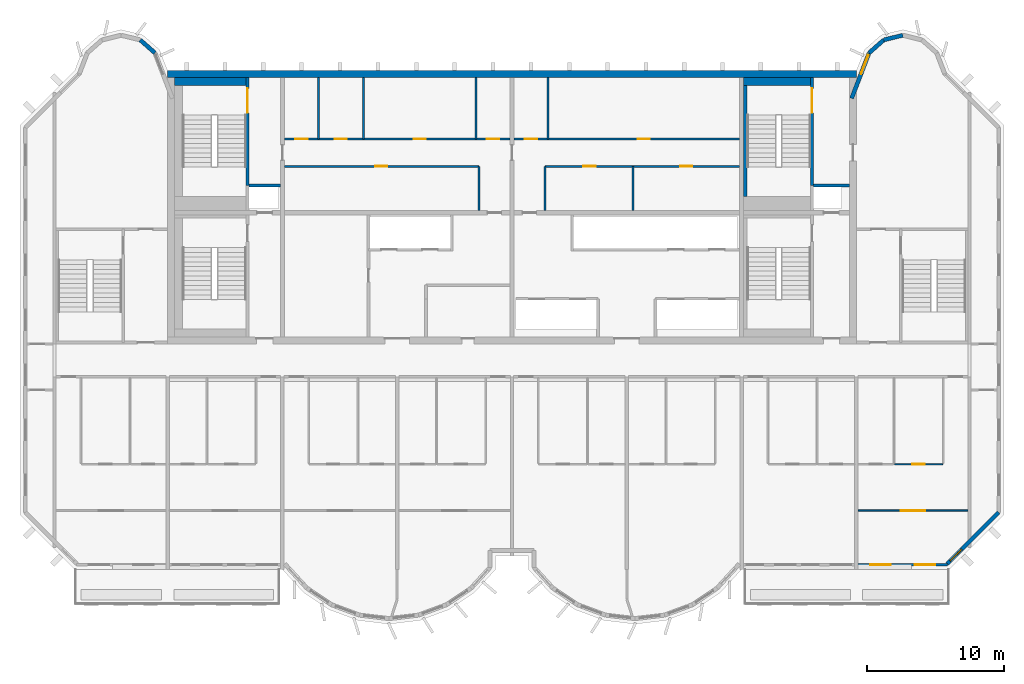
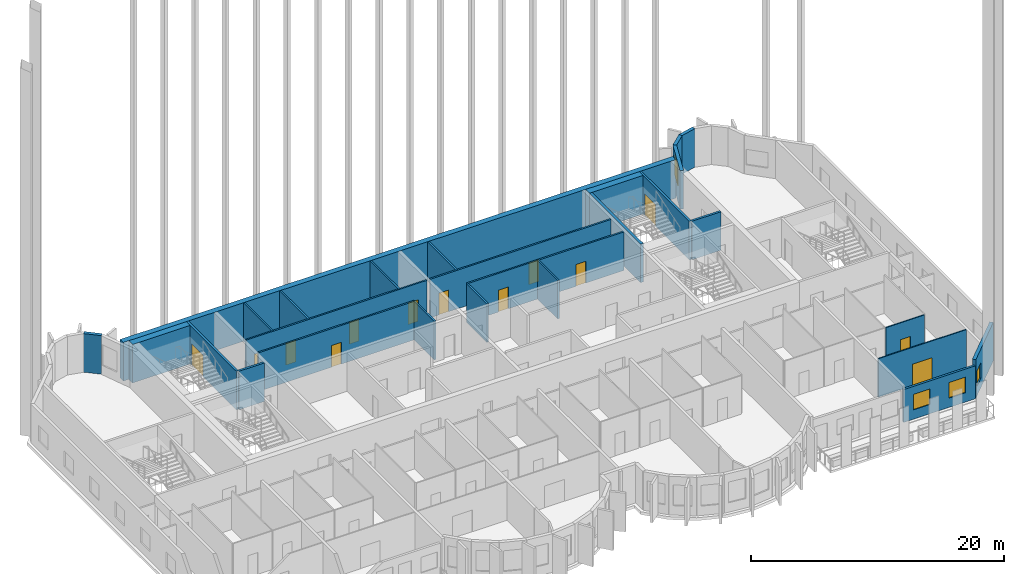
# One storey, part 7 of 13: 27 walls, 13 doors, 4 windows, 17 openings.
"""IFC4 building model written with IfcOpenShell, lengths in metres."""

from ifc_helpers import new_model, si_unit, direction, frame, frame_2d, origin, place, context, subcontext, project, spatial, rectangle, extrude, source, transform, mapped, material, layer, layer_set, type_object, element, fill, save


model = new_model("IFC4")

# Units and contexts
model_context = context("Model", 3, precision=1e-05, world=origin(), true_north=direction((0.0, 1.0)))
body_context = subcontext(model_context, "Body", "Model", "MODEL_VIEW")
ifc_project = project(units=[si_unit("LENGTHUNIT", "METRE"), si_unit("AREAUNIT", "SQUARE_METRE"), si_unit("VOLUMEUNIT", "CUBIC_METRE"), si_unit("PLANEANGLEUNIT", "RADIAN"), si_unit("MASSUNIT", "GRAM", prefix="KILO")], contexts=[model_context])

# Site, building, storey
site_placement = place(None, origin())
site = spatial("IfcSite", under=ifc_project, at=site_placement, CompositionType="ELEMENT")
building_placement = place(site_placement, origin())
building = spatial("IfcBuilding", under=site, at=building_placement, Name="Vanashikhar Sky Hotel", CompositionType="ELEMENT")
storey_placement = place(building_placement, frame((0.0, 0.0, 277.699951171875)))
storey = spatial("IfcBuildingStorey", under=building, at=storey_placement, Name="L66", CompositionType="ELEMENT", Elevation=277.699951171875)

# Wall
ifc_material_1 = material(Name="Concrete M50", Category="concrete")
ifc_layer_1 = layer(ifc_material_1, 0.5)
ifc_layer_set_1 = layer_set([ifc_layer_1], Name="RC core shell wall 500 Concrete M50")
wall_type_1 = type_object("IfcWallType", Name="RC core shell wall 500 Concrete M50", PredefinedType="SHEAR", material=ifc_layer_set_1)
shared_shape_1 = source(origin(), body_context, "Body", "SweptSolid", [
    extrude(rectangle(XDim=50.400146484375, YDim=0.5, at=frame_2d((25.2001953125, 0.0))), origin(), (0.0, 0.0, 1.0), 3.719970703125),
])
wall_1_placement = place(storey_placement, frame((25.199951171875, 41.75, 0.0), z_axis=(0.0, 0.0, 1.0), x_axis=(1.0, 0.0, 0.0)))
element("IfcWall", 1, at=wall_1_placement, inside=storey, type_object=wall_type_1, Name="KW-L66-KN", PredefinedType="SHEAR", context=body_context, shape_type="MappedRepresentation", body=[
    mapped(shared_shape_1, transform((0.0, 0.0, 0.0), scale=1.0)),
])

# Wall, openings, windows
ifc_layer_2 = layer(ifc_material_1, 0.199951171875)
ifc_layer_set_2 = layer_set([ifc_layer_2], Name="Front window wall 200")
wall_type_2 = type_object("IfcWallType", Name="Front window wall 200", PredefinedType="SOLIDWALL", material=ifc_layer_set_2)
shared_shape_2 = source(origin(), body_context, "Body", "SweptSolid", [
    extrude(rectangle(XDim=6.52978515625, YDim=0.199951171875, at=frame_2d((3.264892578125, 0.0))), origin(), (0.0, 0.0, 1.0), 3.170166015625),
])
wall_2_placement = place(storey_placement, frame((75.72509765625, 5.85009765625, 0.0), z_axis=(0.0, 0.0, 1.0), x_axis=(1.0, 0.0, 0.0)))
wall_2 = element("IfcWall", 2, at=wall_2_placement, inside=storey, type_object=wall_type_2, Name="Front window wall", PredefinedType="SOLIDWALL", context=body_context, shape_type="MappedRepresentation", body=[
    mapped(shared_shape_2, transform((0.0, 0.0, 0.0), scale=1.0)),
])
shared_shape_3 = source(origin(), body_context, "Body", "SweptSolid", [
    extrude(rectangle(XDim=1.5, YDim=1.5, at=frame_2d((0.75, 0.75))), frame((0.0, 0.10986328125, 0.0), z_axis=(0.0, -1.0, 0.0), x_axis=(1.0, 0.0, 0.0)), (0.0, 0.0, 1.0), 0.219970703125),
])
opening_1_placement = place(wall_2_placement, frame((0.882568359375, 0.0, 0.89990234375)))
opening_1 = element("IfcOpeningElement", 3, at=opening_1_placement, cuts=wall_2, Name="Opening WN-1", PredefinedType="OPENING", context=body_context, shape_type="MappedRepresentation", body=[
    mapped(shared_shape_3, transform((0.0, 0.0, 0.0), scale=1.0)),
])
opening_2_placement = place(wall_2_placement, frame((4.1474609375, 0.0, 0.89990234375)))
opening_2 = element("IfcOpeningElement", 4, at=opening_2_placement, cuts=wall_2, Name="Opening WN-1", PredefinedType="OPENING", context=body_context, shape_type="MappedRepresentation", body=[
    mapped(shared_shape_3, transform((0.0, 0.0, 0.0), scale=1.0)),
])
ifc_material_2 = material(Name="Glass", Category="glass")
window_type_1 = type_object("IfcWindowType", Name="Window 1500 x 1500", PartitioningType="SINGLE_PANEL", PredefinedType="WINDOW", material=ifc_material_2)
shared_shape_4 = source(origin(), body_context, "Body", "SweptSolid", [
    extrude(rectangle(XDim=1.5, YDim=1.5, at=frame_2d((0.75, 0.75))), frame((0.0, 0.030029296875, 0.0), z_axis=(0.0, -1.0, 0.0), x_axis=(1.0, 0.0, 0.0)), (0.0, 0.0, 1.0), 0.06005859375),
])
window_1_placement = place(opening_1_placement, origin())
window_1 = element("IfcWindow", 5, at=window_1_placement, inside=storey, type_object=window_type_1, Name="Window WN-1", OverallHeight=1.5, OverallWidth=1.5, PartitioningType="SINGLE_PANEL", PredefinedType="WINDOW", context=body_context, shape_type="MappedRepresentation", body=[
    mapped(shared_shape_4, transform((0.0, 0.0, 0.0), scale=1.0)),
])
fill(opening_1, window_1)
window_2_placement = place(opening_2_placement, origin())
window_2 = element("IfcWindow", 6, at=window_2_placement, inside=storey, type_object=window_type_1, Name="Window WN-1", OverallHeight=1.5, OverallWidth=1.5, PartitioningType="SINGLE_PANEL", PredefinedType="WINDOW", context=body_context, shape_type="MappedRepresentation", body=[
    mapped(shared_shape_4, transform((0.0, 0.0, 0.0), scale=1.0)),
])
fill(opening_2, window_2)

# Wall, opening, window
ifc_layer_3 = layer(ifc_material_1, 0.300048828125)
ifc_layer_set_3 = layer_set([ifc_layer_3], Name="Lobe wall 300")
wall_type_3 = type_object("IfcWallType", Name="Lobe wall 300", PredefinedType="SOLIDWALL", material=ifc_layer_set_3)
shared_shape_5 = source(origin(), body_context, "Body", "SweptSolid", [
    extrude(rectangle(XDim=5.32568359375, YDim=0.300048828125, at=frame_2d((2.662841796875, 0.0))), origin(), (0.0, 0.0, 1.0), 3.719970703125),
])
wall_3_placement = place(storey_placement, frame((82.234375, 5.89990234375, 0.0), z_axis=(0.0, 0.0, 1.0), x_axis=(0.707083859269, 0.707129702361, 0.0)))
wall_3 = element("IfcWall", 7, at=wall_3_placement, inside=storey, type_object=wall_type_3, Name="Corner wall", PredefinedType="SOLIDWALL", context=body_context, shape_type="MappedRepresentation", body=[
    mapped(shared_shape_5, transform((0.0, 0.0, 0.0), scale=1.0)),
])
shared_shape_6 = source(origin(), body_context, "Body", "SweptSolid", [
    extrude(rectangle(XDim=1.199951171875, YDim=1.5, at=frame_2d((0.60009765625, 0.75))), frame((0.0, 0.16015625, 0.0), z_axis=(0.0, -1.0, 0.0), x_axis=(1.0, 0.0, 0.0)), (0.0, 0.0, 1.0), 0.320068359375),
])
opening_3_placement = place(wall_3_placement, frame((0.31005859375, 0.0, 0.89990234375)))
opening_3 = element("IfcOpeningElement", 8, at=opening_3_placement, cuts=wall_3, Name="Opening WN-3", PredefinedType="OPENING", context=body_context, shape_type="MappedRepresentation", body=[
    mapped(shared_shape_6, transform((0.0, 0.0, 0.0), scale=1.0)),
])
window_type_2 = type_object("IfcWindowType", Name="Corridor end window 1200 x 1500", PartitioningType="SINGLE_PANEL", PredefinedType="WINDOW", material=ifc_material_2)
shared_shape_7 = source(origin(), body_context, "Body", "SweptSolid", [
    extrude(rectangle(XDim=1.199951171875, YDim=1.5, at=frame_2d((0.60009765625, 0.75))), frame((0.0, 0.030029296875, 0.0), z_axis=(0.0, -1.0, 0.0), x_axis=(1.0, 0.0, 0.0)), (0.0, 0.0, 1.0), 0.06005859375),
])
window_3_placement = place(opening_3_placement, origin())
window_3 = element("IfcWindow", 9, at=window_3_placement, inside=storey, type_object=window_type_2, Name="Window WN-3", OverallHeight=1.5, OverallWidth=1.199951171875, PartitioningType="SINGLE_PANEL", PredefinedType="WINDOW", context=body_context, shape_type="MappedRepresentation", body=[
    mapped(shared_shape_7, transform((0.0, 0.0, 0.0), scale=1.0)),
])
fill(opening_3, window_3)

# Walls
shared_shape_8 = source(origin(), body_context, "Body", "SweptSolid", [
    extrude(rectangle(XDim=1.43994140625, YDim=0.300048828125, at=frame_2d((0.719970703125, 0.0))), origin(), (0.0, 0.0, 1.0), 3.719970703125),
])
wall_4_placement = place(storey_placement, frame((77.602783203125, 44.2451171875, 0.0), z_axis=(0.0, 0.0, 1.0), x_axis=(-0.74957555648, -0.661918790432, 0.0)))
element("IfcWall", 10, at=wall_4_placement, inside=storey, type_object=wall_type_3, Name="Lobe wall", PredefinedType="SOLIDWALL", context=body_context, shape_type="MappedRepresentation", body=[
    mapped(shared_shape_8, transform((0.0, 0.0, 0.0), scale=1.0)),
])
shared_shape_9 = source(origin(), body_context, "Body", "SweptSolid", [
    extrude(rectangle(XDim=1.438720703125, YDim=0.300048828125, at=frame_2d((0.71923828125, 0.0))), origin(), (0.0, 0.0, 1.0), 3.719970703125),
])
wall_5_placement = place(storey_placement, frame((79.0, 44.588134765625, 0.0), z_axis=(0.0, 0.0, 1.0), x_axis=(-0.971161932466, -0.238420848351, 0.0)))
element("IfcWall", 11, at=wall_5_placement, inside=storey, type_object=wall_type_3, Name="Lobe wall", PredefinedType="SOLIDWALL", context=body_context, shape_type="MappedRepresentation", body=[
    mapped(shared_shape_9, transform((0.0, 0.0, 0.0), scale=1.0)),
])

# Wall, opening, window
shared_shape_10 = source(origin(), body_context, "Body", "SweptSolid", [
    extrude(rectangle(XDim=3.55908203125, YDim=0.300048828125, at=frame_2d((1.779541015625, 0.0))), origin(), (0.0, 0.0, 1.0), 3.719970703125),
])
wall_6_placement = place(storey_placement, frame((76.5234375, 43.2919921875, 0.0), z_axis=(0.0, 0.0, 1.0), x_axis=(-0.35779745313, -0.933799219604, 0.0)))
wall_6 = element("IfcWall", 12, at=wall_6_placement, inside=storey, type_object=wall_type_3, Name="Lobe wall", PredefinedType="SOLIDWALL", context=body_context, shape_type="MappedRepresentation", body=[
    mapped(shared_shape_10, transform((0.0, 0.0, 0.0), scale=1.0)),
])
shared_shape_11 = source(origin(), body_context, "Body", "SweptSolid", [
    extrude(rectangle(XDim=1.5, YDim=2.0, at=frame_2d((0.75, 1.0))), frame((0.0, 0.16015625, 0.0), z_axis=(0.0, -1.0, 0.0), x_axis=(1.0, 0.0, 0.0)), (0.0, 0.0, 1.0), 0.320068359375),
])
opening_4_placement = place(wall_6_placement, frame((0.156005859375, 0.0, 0.89990234375)))
opening_4 = element("IfcOpeningElement", 13, at=opening_4_placement, cuts=wall_6, Name="Opening WN-2", PredefinedType="OPENING", context=body_context, shape_type="MappedRepresentation", body=[
    mapped(shared_shape_11, transform((0.0, 0.0, 0.0), scale=1.0)),
])
window_type_3 = type_object("IfcWindowType", Name="Lobe window 1500 x 2000", PartitioningType="SINGLE_PANEL", PredefinedType="WINDOW", material=ifc_material_2)
shared_shape_12 = source(origin(), body_context, "Body", "SweptSolid", [
    extrude(rectangle(XDim=1.5, YDim=2.0, at=frame_2d((0.75, 1.0))), frame((0.0, 0.030029296875, 0.0), z_axis=(0.0, -1.0, 0.0), x_axis=(1.0, 0.0, 0.0)), (0.0, 0.0, 1.0), 0.06005859375),
])
window_4_placement = place(opening_4_placement, origin())
window_4 = element("IfcWindow", 14, at=window_4_placement, inside=storey, type_object=window_type_3, Name="Window WN-2", OverallHeight=2.0, OverallWidth=1.5, PartitioningType="SINGLE_PANEL", PredefinedType="WINDOW", context=body_context, shape_type="MappedRepresentation", body=[
    mapped(shared_shape_12, transform((0.0, 0.0, 0.0), scale=1.0)),
])
fill(opening_4, window_4)

# Walls
shared_shape_13 = source(origin(), body_context, "Body", "SweptSolid", [
    extrude(rectangle(XDim=1.440185546875, YDim=0.300048828125, at=frame_2d((0.72021484375, 0.0))), origin(), (0.0, 0.0, 1.0), 3.719970703125),
])
wall_7_placement = place(storey_placement, frame((24.276611328125, 43.2919921875, 0.0), z_axis=(0.0, 0.0, 1.0), x_axis=(-0.749649827867, 0.661834673902, 0.0)))
element("IfcWall", 15, at=wall_7_placement, inside=storey, type_object=wall_type_3, Name="Lobe wall", PredefinedType="SOLIDWALL", context=body_context, shape_type="MappedRepresentation", body=[
    mapped(shared_shape_13, transform((0.0, 0.0, 0.0), scale=1.0)),
])
ifc_material_3 = material(Name="Gypsum board partition")
ifc_layer_4 = layer(ifc_material_3, 0.14990234375)
ifc_layer_set_4 = layer_set([ifc_layer_4], Name="Service partition 150")
wall_type_4 = type_object("IfcWallType", Name="Service partition 150", PredefinedType="PARTITIONING", material=ifc_layer_set_4)
shared_shape_14 = source(origin(), body_context, "Body", "SweptSolid", [
    extrude(rectangle(XDim=3.25, YDim=0.14990234375, at=frame_2d((1.625, 0.0))), origin(), (0.0, 0.0, 1.0), 3.719970703125),
])
for number, where, z_axis, x_axis, name in (
    (16, (48.0, 31.75, 0.0), (0.0, 0.0, 1.0), (0.0, 1.0, 0.0), "Service partition 150"),
    (17, (52.800048828125, 31.75, 0.0), (0.0, 0.0, 1.0), (0.0, 1.0, 0.0), "Service partition 150"),
    (18, (59.25390625, 31.75, 0.0), (0.0, 0.0, 1.0), (0.0, 1.0, 0.0), "Service partition 150"),
):
    element("IfcWall", number, at=place(storey_placement, frame(where, z_axis=z_axis, x_axis=x_axis)), inside=storey, type_object=wall_type_4, Name=name, PredefinedType="PARTITIONING", context=body_context, shape_type="MappedRepresentation", body=[
        mapped(shared_shape_14, transform((0.0, 0.0, 0.0), scale=1.0)),
    ])

# Wall, opening, door
shared_shape_15 = source(origin(), body_context, "Body", "SweptSolid", [
    extrude(rectangle(XDim=14.25, YDim=0.14990234375, at=frame_2d((7.125, 0.0))), origin(), (0.0, 0.0, 1.0), 3.719970703125),
])
wall_8_placement = place(storey_placement, frame((33.75, 35.0, 0.0), z_axis=(0.0, 0.0, 1.0), x_axis=(1.0, 0.0, 0.0)))
wall_8 = element("IfcWall", 19, at=wall_8_placement, inside=storey, type_object=wall_type_4, Name="Service partition 150", PredefinedType="PARTITIONING", context=body_context, shape_type="MappedRepresentation", body=[
    mapped(shared_shape_15, transform((0.0, 0.0, 0.0), scale=1.0)),
])
shared_shape_16 = source(origin(), body_context, "Body", "SweptSolid", [
    extrude(rectangle(XDim=0.89990234375, YDim=2.10009765625, at=frame_2d((0.449951171875, 1.050048828125))), frame((0.0, 0.0849609375, 0.0), z_axis=(0.0, -1.0, 0.0), x_axis=(1.0, 0.0, 0.0)), (0.0, 0.0, 1.0), 0.169921875),
])
opening_5_placement = place(wall_8_placement, frame((6.636962890625, 0.0, 0.0)))
opening_5 = element("IfcOpeningElement", 20, at=opening_5_placement, cuts=wall_8, Name="Opening DC-4-A", PredefinedType="OPENING", context=body_context, shape_type="MappedRepresentation", body=[
    mapped(shared_shape_16, transform((0.0, 0.0, 0.0), scale=1.0)),
])
ifc_material_4 = material(Name="Steel", Category="steel")
door_type_1 = type_object("IfcDoorType", Name="Service door 900 FD60", OperationType="NOTDEFINED", PredefinedType="DOOR", material=ifc_material_4)
shared_shape_17 = source(origin(), body_context, "Body", "SweptSolid", [
    extrude(rectangle(XDim=0.89990234375, YDim=2.10009765625, at=frame_2d((0.449951171875, 1.050048828125))), frame((0.0, 0.02490234375, 0.0), z_axis=(0.0, -1.0, 0.0), x_axis=(1.0, 0.0, 0.0)), (0.0, 0.0, 1.0), 0.050048828125),
])
door_1_placement = place(opening_5_placement, origin())
door_1 = element("IfcDoor", 21, at=door_1_placement, inside=storey, type_object=door_type_1, Name="Service door 900 FD60", OperationType="SINGLE_SWING_LEFT", OverallHeight=2.10009765625, OverallWidth=0.89990234375, PredefinedType="DOOR", context=body_context, shape_type="MappedRepresentation", body=[
    mapped(shared_shape_17, transform((0.0, 0.0, 0.0), scale=1.0)),
])
fill(opening_5, door_1)

# Wall, openings, doors
wall_9_placement = place(storey_placement, frame((67.050048828125, 35.0, 0.0), z_axis=(0.0, 0.0, 1.0), x_axis=(-1.0, 0.0, 0.0)))
wall_9 = element("IfcWall", 22, at=wall_9_placement, inside=storey, type_object=wall_type_4, Name="Service partition 150", PredefinedType="PARTITIONING", context=body_context, shape_type="MappedRepresentation", body=[
    mapped(shared_shape_15, transform((0.0, 0.0, 0.0), scale=1.0)),
])
opening_6_placement = place(wall_9_placement, frame((3.447998046875, 0.0, 0.0)))
opening_6 = element("IfcOpeningElement", 23, at=opening_6_placement, cuts=wall_9, Name="Opening DC-4-A", PredefinedType="OPENING", context=body_context, shape_type="MappedRepresentation", body=[
    mapped(shared_shape_16, transform((0.0, 0.0, 0.0), scale=1.0)),
])
opening_7_placement = place(wall_9_placement, frame((10.535888671875, 0.0, 0.0)))
opening_7 = element("IfcOpeningElement", 24, at=opening_7_placement, cuts=wall_9, Name="Opening DC-4-A", PredefinedType="OPENING", context=body_context, shape_type="MappedRepresentation", body=[
    mapped(shared_shape_16, transform((0.0, 0.0, 0.0), scale=1.0)),
])
door_2_placement = place(opening_6_placement, origin())
door_2 = element("IfcDoor", 25, at=door_2_placement, inside=storey, type_object=door_type_1, Name="Service door 900 FD60", OperationType="SINGLE_SWING_RIGHT", OverallHeight=2.10009765625, OverallWidth=0.89990234375, PredefinedType="DOOR", context=body_context, shape_type="MappedRepresentation", body=[
    mapped(shared_shape_17, transform((0.0, 0.0, 0.0), scale=1.0)),
])
fill(opening_6, door_2)
door_3_placement = place(opening_7_placement, origin())
door_3 = element("IfcDoor", 26, at=door_3_placement, inside=storey, type_object=door_type_1, Name="Service door 900 FD60", OperationType="SINGLE_SWING_RIGHT", OverallHeight=2.10009765625, OverallWidth=0.89990234375, PredefinedType="DOOR", context=body_context, shape_type="MappedRepresentation", body=[
    mapped(shared_shape_17, transform((0.0, 0.0, 0.0), scale=1.0)),
])
fill(opening_7, door_3)

shared_shape_18 = source(origin(), body_context, "Body", "SweptSolid", [
    extrude(rectangle(XDim=16.5, YDim=0.14990234375, at=frame_2d((8.25, 0.0))), origin(), (0.0, 0.0, 1.0), 3.719970703125),
])
wall_10_placement = place(storey_placement, frame((33.75, 37.0, 0.0), z_axis=(0.0, 0.0, 1.0), x_axis=(1.0, 0.0, 0.0)))
wall_10 = element("IfcWall", 27, at=wall_10_placement, inside=storey, type_object=wall_type_4, Name="Service partition 150", PredefinedType="PARTITIONING", context=body_context, shape_type="MappedRepresentation", body=[
    mapped(shared_shape_18, transform((0.0, 0.0, 0.0), scale=1.0)),
])
opening_8_placement = place(wall_10_placement, frame((0.787109375, 0.0, 0.0)))
opening_8 = element("IfcOpeningElement", 28, at=opening_8_placement, cuts=wall_10, Name="Opening DC-4-A", PredefinedType="OPENING", context=body_context, shape_type="MappedRepresentation", body=[
    mapped(shared_shape_16, transform((0.0, 0.0, 0.0), scale=1.0)),
])
opening_9_placement = place(wall_10_placement, frame((3.675048828125, 0.0, 0.0)))
opening_9 = element("IfcOpeningElement", 29, at=opening_9_placement, cuts=wall_10, Name="Opening DC-4-A", PredefinedType="OPENING", context=body_context, shape_type="MappedRepresentation", body=[
    mapped(shared_shape_16, transform((0.0, 0.0, 0.0), scale=1.0)),
])
opening_10_placement = place(wall_10_placement, frame((9.449951171875, 0.0, 0.0)))
opening_10 = element("IfcOpeningElement", 30, at=opening_10_placement, cuts=wall_10, Name="Opening DC-4-A", PredefinedType="OPENING", context=body_context, shape_type="MappedRepresentation", body=[
    mapped(shared_shape_16, transform((0.0, 0.0, 0.0), scale=1.0)),
])
opening_11_placement = place(wall_10_placement, frame((14.81298828125, 0.0, 0.0)))
opening_11 = element("IfcOpeningElement", 31, at=opening_11_placement, cuts=wall_10, Name="Opening DC-4-A", PredefinedType="OPENING", context=body_context, shape_type="MappedRepresentation", body=[
    mapped(shared_shape_16, transform((0.0, 0.0, 0.0), scale=1.0)),
])
door_4_placement = place(opening_8_placement, origin())
door_4 = element("IfcDoor", 32, at=door_4_placement, inside=storey, type_object=door_type_1, Name="Service door 900 FD60", OperationType="SINGLE_SWING_RIGHT", OverallHeight=2.10009765625, OverallWidth=0.89990234375, PredefinedType="DOOR", context=body_context, shape_type="MappedRepresentation", body=[
    mapped(shared_shape_17, transform((0.0, 0.0, 0.0), scale=1.0)),
])
fill(opening_8, door_4)
door_5_placement = place(opening_9_placement, origin())
door_5 = element("IfcDoor", 33, at=door_5_placement, inside=storey, type_object=door_type_1, Name="Service door 900 FD60", OperationType="SINGLE_SWING_RIGHT", OverallHeight=2.10009765625, OverallWidth=0.89990234375, PredefinedType="DOOR", context=body_context, shape_type="MappedRepresentation", body=[
    mapped(shared_shape_17, transform((0.0, 0.0, 0.0), scale=1.0)),
])
fill(opening_9, door_5)
door_6_placement = place(opening_10_placement, origin())
door_6 = element("IfcDoor", 34, at=door_6_placement, inside=storey, type_object=door_type_1, Name="Service door 900 FD60", OperationType="SINGLE_SWING_RIGHT", OverallHeight=2.10009765625, OverallWidth=0.89990234375, PredefinedType="DOOR", context=body_context, shape_type="MappedRepresentation", body=[
    mapped(shared_shape_17, transform((0.0, 0.0, 0.0), scale=1.0)),
])
fill(opening_10, door_6)
door_7_placement = place(opening_11_placement, origin())
door_7 = element("IfcDoor", 35, at=door_7_placement, inside=storey, type_object=door_type_1, Name="Service door 900 FD60", OperationType="SINGLE_SWING_LEFT", OverallHeight=2.10009765625, OverallWidth=0.89990234375, PredefinedType="DOOR", context=body_context, shape_type="MappedRepresentation", body=[
    mapped(shared_shape_17, transform((0.0, 0.0, 0.0), scale=1.0)),
])
fill(opening_11, door_7)

wall_11_placement = place(storey_placement, frame((67.050048828125, 37.0, 0.0), z_axis=(0.0, 0.0, 1.0), x_axis=(-1.0, 0.0, 0.0)))
wall_11 = element("IfcWall", 36, at=wall_11_placement, inside=storey, type_object=wall_type_4, Name="Service partition 150", PredefinedType="PARTITIONING", context=body_context, shape_type="MappedRepresentation", body=[
    mapped(shared_shape_18, transform((0.0, 0.0, 0.0), scale=1.0)),
])
opening_12_placement = place(wall_11_placement, frame((6.56298828125, 0.0, 0.0)))
opening_12 = element("IfcOpeningElement", 37, at=opening_12_placement, cuts=wall_11, Name="Opening DC-4-A", PredefinedType="OPENING", context=body_context, shape_type="MappedRepresentation", body=[
    mapped(shared_shape_16, transform((0.0, 0.0, 0.0), scale=1.0)),
])
opening_13_placement = place(wall_11_placement, frame((14.81298828125, 0.0, 0.0)))
opening_13 = element("IfcOpeningElement", 38, at=opening_13_placement, cuts=wall_11, Name="Opening DC-4-A", PredefinedType="OPENING", context=body_context, shape_type="MappedRepresentation", body=[
    mapped(shared_shape_16, transform((0.0, 0.0, 0.0), scale=1.0)),
])
door_8_placement = place(opening_12_placement, origin())
door_8 = element("IfcDoor", 39, at=door_8_placement, inside=storey, type_object=door_type_1, Name="Service door 900 FD60", OperationType="SINGLE_SWING_RIGHT", OverallHeight=2.10009765625, OverallWidth=0.89990234375, PredefinedType="DOOR", context=body_context, shape_type="MappedRepresentation", body=[
    mapped(shared_shape_17, transform((0.0, 0.0, 0.0), scale=1.0)),
])
fill(opening_12, door_8)
door_9_placement = place(opening_13_placement, origin())
door_9 = element("IfcDoor", 40, at=door_9_placement, inside=storey, type_object=door_type_1, Name="Service door 900 FD60", OperationType="SINGLE_SWING_LEFT", OverallHeight=2.10009765625, OverallWidth=0.89990234375, PredefinedType="DOOR", context=body_context, shape_type="MappedRepresentation", body=[
    mapped(shared_shape_17, transform((0.0, 0.0, 0.0), scale=1.0)),
])
fill(opening_13, door_9)

# Walls
shared_shape_19 = source(origin(), body_context, "Body", "SweptSolid", [
    extrude(rectangle(XDim=4.5, YDim=0.14990234375, at=frame_2d((2.25, 0.0))), origin(), (0.0, 0.0, 1.0), 3.719970703125),
])
for number, where, z_axis, x_axis, name in (
    (41, (36.22509765625, 37.0, 0.0), (0.0, 0.0, 1.0), (0.0, 1.0, 0.0), "Service partition 150"),
    (42, (39.52490234375, 37.0, 0.0), (0.0, 0.0, 1.0), (0.0, 1.0, 0.0), "Service partition 150"),
    (43, (47.77490234375, 37.0, 0.0), (0.0, 0.0, 1.0), (0.0, 1.0, 0.0), "Service partition 150"),
    (44, (53.02490234375, 37.0, 0.0), (0.0, 0.0, 1.0), (0.0, 1.0, 0.0), "Service partition 150"),
):
    element("IfcWall", number, at=place(storey_placement, frame(where, z_axis=z_axis, x_axis=x_axis)), inside=storey, type_object=wall_type_4, Name=name, PredefinedType="PARTITIONING", context=body_context, shape_type="MappedRepresentation", body=[
        mapped(shared_shape_19, transform((0.0, 0.0, 0.0), scale=1.0)),
    ])
ifc_material_5 = material(Name="Concrete M40", Category="concrete")
ifc_layer_5 = layer(ifc_material_5, 0.199951171875)
ifc_layer_set_5 = layer_set([ifc_layer_5], Name="Shaft wall 200")
wall_type_5 = type_object("IfcWallType", Name="Shaft wall 200", PredefinedType="SOLIDWALL", material=ifc_layer_set_5)
shared_shape_20 = source(origin(), body_context, "Body", "SweptSolid", [
    extrude(rectangle(XDim=2.300048828125, YDim=0.199951171875, at=frame_2d((1.14990234375, 0.0))), origin(), (0.0, 0.0, 1.0), 3.719970703125),
])
wall_12_placement = place(storey_placement, frame((31.14990234375, 33.60009765625, 0.0), z_axis=(0.0, 0.0, 1.0), x_axis=(1.0, 0.0, 0.0)))
element("IfcWall", 45, at=wall_12_placement, inside=storey, type_object=wall_type_5, Name="Shaft wall 200", PredefinedType="SOLIDWALL", context=body_context, shape_type="MappedRepresentation", body=[
    mapped(shared_shape_20, transform((0.0, 0.0, 0.0), scale=1.0)),
])

# Wall, opening, door
ifc_layer_6 = layer(ifc_material_1, 0.199951171875)
ifc_layer_set_6 = layer_set([ifc_layer_6], Name="Stair wall 200")
wall_type_6 = type_object("IfcWallType", Name="Stair wall 200", PredefinedType="SOLIDWALL", material=ifc_layer_set_6)
shared_shape_21 = source(origin(), body_context, "Body", "SweptSolid", [
    extrude(rectangle(XDim=7.89990234375, YDim=0.199951171875, at=frame_2d((3.949951171875, 0.0))), origin(), (0.0, 0.0, 1.0), 3.719970703125),
])
wall_13_placement = place(storey_placement, frame((31.050048828125, 33.60009765625, 0.0), z_axis=(0.0, 0.0, 1.0), x_axis=(0.0, 1.0, 0.0)))
wall_13 = element("IfcWall", 46, at=wall_13_placement, inside=storey, type_object=wall_type_6, Name="Stair wall 200", PredefinedType="SOLIDWALL", context=body_context, shape_type="MappedRepresentation", body=[
    mapped(shared_shape_21, transform((0.0, 0.0, 0.0), scale=1.0)),
])
shared_shape_22 = source(origin(), body_context, "Body", "SweptSolid", [
    extrude(rectangle(XDim=1.800048828125, YDim=2.10009765625, at=frame_2d((0.89990234375, 1.050048828125))), frame((0.0, 0.10986328125, 0.0), z_axis=(0.0, -1.0, 0.0), x_axis=(1.0, 0.0, 0.0)), (0.0, 0.0, 1.0), 0.219970703125),
])
opening_14_placement = place(wall_13_placement, frame((5.300048828125, 0.0, 0.0)))
opening_14 = element("IfcOpeningElement", 47, at=opening_14_placement, cuts=wall_13, Name="Opening DC-1-A", PredefinedType="OPENING", context=body_context, shape_type="MappedRepresentation", body=[
    mapped(shared_shape_22, transform((0.0, 0.0, 0.0), scale=1.0)),
])
door_type_2 = type_object("IfcDoorType", Name="Stair door 1800 FD120", OperationType="NOTDEFINED", PredefinedType="DOOR", material=ifc_material_4)
shared_shape_23 = source(origin(), body_context, "Body", "SweptSolid", [
    extrude(rectangle(XDim=1.800048828125, YDim=2.10009765625, at=frame_2d((0.89990234375, 1.050048828125))), frame((0.0, 0.02490234375, 0.0), z_axis=(0.0, -1.0, 0.0), x_axis=(1.0, 0.0, 0.0)), (0.0, 0.0, 1.0), 0.050048828125),
])
door_10_placement = place(opening_14_placement, origin())
door_10 = element("IfcDoor", 48, at=door_10_placement, inside=storey, type_object=door_type_2, Name="Stair door 1800 FD120", OperationType="SINGLE_SWING_LEFT", OverallHeight=2.10009765625, OverallWidth=1.800048828125, PredefinedType="DOOR", context=body_context, shape_type="MappedRepresentation", body=[
    mapped(shared_shape_23, transform((0.0, 0.0, 0.0), scale=1.0)),
])
fill(opening_14, door_10)

wall_14_placement = place(storey_placement, frame((72.35009765625, 33.60009765625, 0.0), z_axis=(0.0, 0.0, 1.0), x_axis=(0.0, 1.0, 0.0)))
wall_14 = element("IfcWall", 49, at=wall_14_placement, inside=storey, type_object=wall_type_6, Name="Stair wall 200", PredefinedType="SOLIDWALL", context=body_context, shape_type="MappedRepresentation", body=[
    mapped(shared_shape_21, transform((0.0, 0.0, 0.0), scale=1.0)),
])
opening_15_placement = place(wall_14_placement, frame((5.300048828125, 0.0, 0.0)))
opening_15 = element("IfcOpeningElement", 50, at=opening_15_placement, cuts=wall_14, Name="Opening DC-1-A", PredefinedType="OPENING", context=body_context, shape_type="MappedRepresentation", body=[
    mapped(shared_shape_22, transform((0.0, 0.0, 0.0), scale=1.0)),
])
door_11_placement = place(opening_15_placement, origin())
door_11 = element("IfcDoor", 51, at=door_11_placement, inside=storey, type_object=door_type_2, Name="Stair door 1800 FD120", OperationType="SINGLE_SWING_LEFT", OverallHeight=2.10009765625, OverallWidth=1.800048828125, PredefinedType="DOOR", context=body_context, shape_type="MappedRepresentation", body=[
    mapped(shared_shape_23, transform((0.0, 0.0, 0.0), scale=1.0)),
])
fill(opening_15, door_11)

# Walls
shared_shape_24 = source(origin(), body_context, "Body", "SweptSolid", [
    extrude(rectangle(XDim=2.650146484375, YDim=0.199951171875, at=frame_2d((1.3251953125, 0.0))), origin(), (0.0, 0.0, 1.0), 3.719970703125),
])
wall_15_placement = place(storey_placement, frame((72.449951171875, 33.60009765625, 0.0), z_axis=(0.0, 0.0, 1.0), x_axis=(1.0, 0.0, 0.0)))
element("IfcWall", 52, at=wall_15_placement, inside=storey, type_object=wall_type_5, Name="Shaft wall 200", PredefinedType="SOLIDWALL", context=body_context, shape_type="MappedRepresentation", body=[
    mapped(shared_shape_24, transform((0.0, 0.0, 0.0), scale=1.0)),
])
ifc_layer_7 = layer(ifc_material_1, 0.60009765625)
ifc_layer_set_7 = layer_set([ifc_layer_7], Name="Stair infill wall 600")
wall_type_7 = type_object("IfcWallType", Name="Stair infill wall 600", PredefinedType="SOLIDWALL", material=ifc_layer_set_7)
shared_shape_25 = source(origin(), body_context, "Body", "SweptSolid", [
    extrude(rectangle(XDim=5.25, YDim=0.60009765625, at=frame_2d((2.625, 0.0))), origin(), (0.0, 0.0, 1.0), 3.719970703125),
])
wall_16_placement = place(storey_placement, frame((25.699951171875, 41.199951171875, 0.0), z_axis=(0.0, 0.0, 1.0), x_axis=(1.0, 0.0, 0.0)))
element("IfcWall", 53, at=wall_16_placement, inside=storey, type_object=wall_type_7, Name="Stair infill wall 600", PredefinedType="SOLIDWALL", context=body_context, shape_type="MappedRepresentation", body=[
    mapped(shared_shape_25, transform((0.0, 0.0, 0.0), scale=1.0)),
])
shared_shape_26 = source(origin(), body_context, "Body", "SweptSolid", [
    extrude(rectangle(XDim=4.89990234375, YDim=0.60009765625, at=frame_2d((2.449951171875, 0.0))), origin(), (0.0, 0.0, 1.0), 3.719970703125),
])
wall_17_placement = place(storey_placement, frame((67.35009765625, 41.199951171875, 0.0), z_axis=(0.0, 0.0, 1.0), x_axis=(1.0, 0.0, 0.0)))
element("IfcWall", 54, at=wall_17_placement, inside=storey, type_object=wall_type_7, Name="Stair infill wall 600", PredefinedType="SOLIDWALL", context=body_context, shape_type="MappedRepresentation", body=[
    mapped(shared_shape_26, transform((0.0, 0.0, 0.0), scale=1.0)),
])
ifc_layer_8 = layer(ifc_material_1, 0.25)
ifc_layer_set_8 = layer_set([ifc_layer_8], Name="Stair infill wall 250")
wall_type_8 = type_object("IfcWallType", Name="Stair infill wall 250", PredefinedType="SOLIDWALL", material=ifc_layer_set_8)
shared_shape_27 = source(origin(), body_context, "Body", "SweptSolid", [
    extrude(rectangle(XDim=8.099853515625, YDim=0.25, at=frame_2d((4.0498046875, 0.0))), origin(), (0.0, 0.0, 1.0), 3.719970703125),
])
wall_18_placement = place(storey_placement, frame((67.47509765625, 32.800048828125, 0.0), z_axis=(0.0, 0.0, 1.0), x_axis=(0.0, 1.0, 0.0)))
element("IfcWall", 55, at=wall_18_placement, inside=storey, type_object=wall_type_8, Name="Stair infill wall 250", PredefinedType="SOLIDWALL", context=body_context, shape_type="MappedRepresentation", body=[
    mapped(shared_shape_27, transform((0.0, 0.0, 0.0), scale=1.0)),
])

# Wall, opening, door
ifc_material_6 = material(Name="Gypsum plasterboard partition")
ifc_layer_9 = layer(ifc_material_6, 0.10009765625)
ifc_layer_set_9 = layer_set([ifc_layer_9], Name="Wet room partition 100")
wall_type_9 = type_object("IfcWallType", Name="Wet room partition 100", PredefinedType="PARTITIONING", material=ifc_layer_set_9)
shared_shape_28 = source(origin(), body_context, "Body", "SweptSolid", [
    extrude(rectangle(XDim=3.5, YDim=0.10009765625, at=frame_2d((1.75, 0.0))), origin(), (0.0, 0.0, 1.0), 3.719970703125),
])
wall_19_placement = place(storey_placement, frame((78.39990234375, 13.199951171875, 0.0), z_axis=(0.0, 0.0, 1.0), x_axis=(1.0, 0.0, 0.0)))
wall_19 = element("IfcWall", 56, at=wall_19_placement, inside=storey, type_object=wall_type_9, Name="W-L66-PW042", PredefinedType="PARTITIONING", context=body_context, shape_type="MappedRepresentation", body=[
    mapped(shared_shape_28, transform((0.0, 0.0, 0.0), scale=1.0)),
])
shared_shape_29 = source(origin(), body_context, "Body", "SweptSolid", [
    extrude(rectangle(XDim=0.89990234375, YDim=2.10009765625, at=frame_2d((0.449951171875, 1.050048828125))), frame((0.0, 0.06005859375, 0.0), z_axis=(0.0, -1.0, 0.0), x_axis=(1.0, 0.0, 0.0)), (0.0, 0.0, 1.0), 0.1201171875),
])
opening_16_placement = place(wall_19_placement, frame((1.300048828125, 0.0, 0.0)))
opening_16 = element("IfcOpeningElement", 57, at=opening_16_placement, cuts=wall_19, Name="Opening D-02", PredefinedType="OPENING", context=body_context, shape_type="MappedRepresentation", body=[
    mapped(shared_shape_29, transform((0.0, 0.0, 0.0), scale=1.0)),
])
ifc_material_7 = material(Name="Timber door", Category="wood")
door_type_3 = type_object("IfcDoorType", Name="Internal door 900", OperationType="NOTDEFINED", PredefinedType="DOOR", material=ifc_material_7)
door_12_placement = place(opening_16_placement, origin())
door_12 = element("IfcDoor", 58, at=door_12_placement, inside=storey, type_object=door_type_3, Name="D-L66-026", OperationType="SINGLE_SWING_RIGHT", OverallHeight=2.10009765625, OverallWidth=0.89990234375, PredefinedType="DOOR", context=body_context, shape_type="MappedRepresentation", body=[
    mapped(shared_shape_17, transform((0.0, 0.0, 0.0), scale=1.0)),
])
fill(opening_16, door_12)

shared_shape_30 = source(origin(), body_context, "Body", "SweptSolid", [
    extrude(rectangle(XDim=8.02490234375, YDim=0.10009765625, at=frame_2d((4.012451171875, 0.0))), origin(), (0.0, 0.0, 1.0), 3.719970703125),
])
wall_20_placement = place(storey_placement, frame((75.72509765625, 9.802001953125, 0.0), z_axis=(0.0, 0.0, 1.0), x_axis=(1.0, 0.0, 0.0)))
wall_20 = element("IfcWall", 59, at=wall_20_placement, inside=storey, type_object=wall_type_9, Name="W-L66-PW044", PredefinedType="PARTITIONING", context=body_context, shape_type="MappedRepresentation", body=[
    mapped(shared_shape_30, transform((0.0, 0.0, 0.0), scale=1.0)),
])
shared_shape_31 = source(origin(), body_context, "Body", "SweptSolid", [
    extrude(rectangle(XDim=1.800048828125, YDim=2.10009765625, at=frame_2d((0.89990234375, 1.050048828125))), frame((0.0, 0.06005859375, 0.0), z_axis=(0.0, -1.0, 0.0), x_axis=(1.0, 0.0, 0.0)), (0.0, 0.0, 1.0), 0.1201171875),
])
opening_17_placement = place(wall_20_placement, frame((3.112060546875, 0.0, 0.0)))
opening_17 = element("IfcOpeningElement", 60, at=opening_17_placement, cuts=wall_20, Name="Opening D-08", PredefinedType="OPENING", context=body_context, shape_type="MappedRepresentation", body=[
    mapped(shared_shape_31, transform((0.0, 0.0, 0.0), scale=1.0)),
])
door_type_4 = type_object("IfcDoorType", Name="Double leaf door 1800", OperationType="NOTDEFINED", PredefinedType="DOOR", material=ifc_material_7)
door_13_placement = place(opening_17_placement, origin())
door_13 = element("IfcDoor", 61, at=door_13_placement, inside=storey, type_object=door_type_4, Name="D-L66-028", OperationType="DOUBLE_DOOR_SINGLE_SWING", OverallHeight=2.10009765625, OverallWidth=1.800048828125, PredefinedType="DOOR", context=body_context, shape_type="MappedRepresentation", body=[
    mapped(shared_shape_23, transform((0.0, 0.0, 0.0), scale=1.0)),
])
fill(opening_17, door_13)

save(model, "model.ifc")
